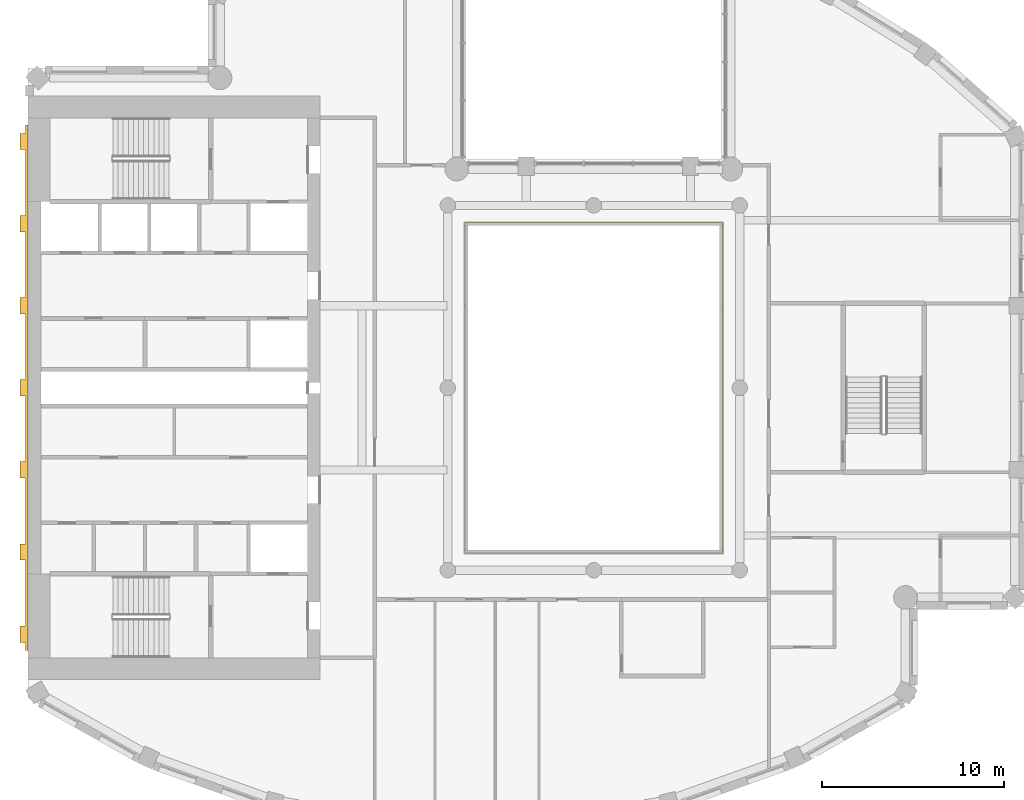
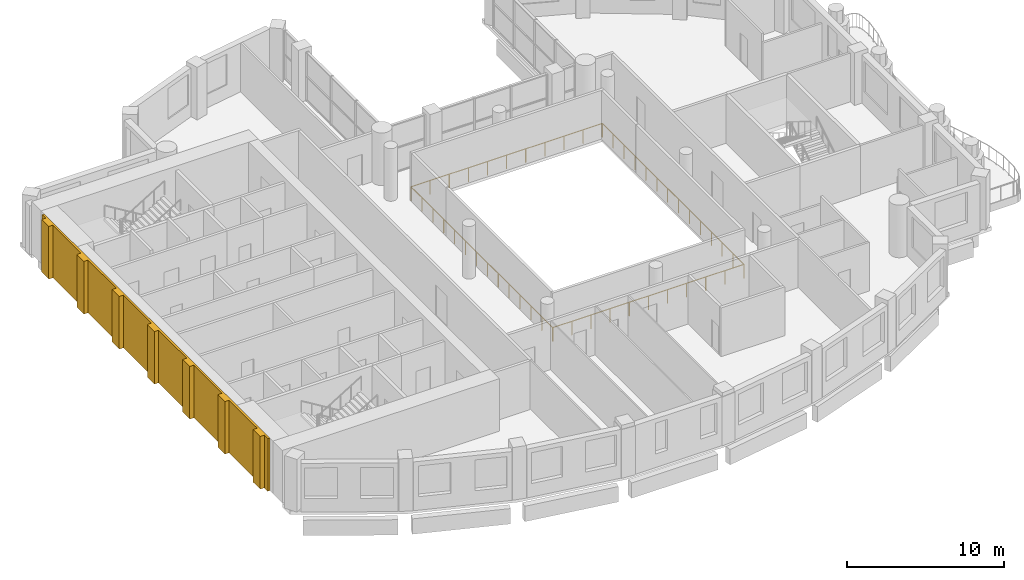
# One storey, part 12 of 15: 1 covering, 1 railing.
"""IFC4 building model written with IfcOpenShell, lengths in metres."""

from ifc_helpers import new_model, si_unit, direction, frame, origin, origin_2d, place, context, subcontext, project, spatial, polyline, rectangle, outline, extrude, material, layer, layer_set, type_object, element, save


model = new_model("IFC4")

# Units and contexts
model_context = context("Model", 3, precision=1e-05, world=origin(), true_north=direction((0.0, 1.0)))
body_context = subcontext(model_context, "Body", "Model", "MODEL_VIEW")
ifc_project = project(units=[si_unit("LENGTHUNIT", "METRE"), si_unit("AREAUNIT", "SQUARE_METRE"), si_unit("VOLUMEUNIT", "CUBIC_METRE"), si_unit("PLANEANGLEUNIT", "RADIAN"), si_unit("MASSUNIT", "GRAM", prefix="KILO")], contexts=[model_context])

# Site, building, storey
site_placement = place(None, origin())
site = spatial("IfcSite", under=ifc_project, at=site_placement, CompositionType="ELEMENT")
building_placement = place(site_placement, origin())
building = spatial("IfcBuilding", under=site, at=building_placement, Name="Cypress Arch Tower", CompositionType="ELEMENT")
storey_placement = place(building_placement, frame((0.0, 0.0, 292.60009765625)))
storey = spatial("IfcBuildingStorey", under=building, at=storey_placement, Name="L66", CompositionType="ELEMENT", Elevation=292.60009765625)

# Railing
ifc_material_1 = material(Name="Stainless steel posts and handrail, laminated glass infill", Category="steel")
railing_type = type_object("IfcRailingType", Name="Atrium guard GR1100A", PredefinedType="GUARDRAIL", material=ifc_material_1)
railing_placement = place(storey_placement, frame((8.050048828125, -9.050048828125, 0.0)))
element("IfcRailing", 1, at=railing_placement, inside=storey, type_object=railing_type, Name="Atrium guard L66", PredefinedType="GUARDRAIL", context=body_context, shape_type="SweptSolid", body=[
    extrude(rectangle(XDim=0.050048828125, YDim=0.050048828125, at=origin_2d()), frame((0.0, 0.0, 1.0751953125), z_axis=(-1.0, 0.0, 0.0), x_axis=(0.0, -1.0, 0.0)), (0.0, 0.0, 1.0), 14.10009765625),
    extrude(rectangle(XDim=0.050048828125, YDim=0.050048828125, at=origin_2d()), frame((-14.10009765625, 0.0, 1.0751953125), z_axis=(0.0, 1.0, 0.0), x_axis=(-1.0, 0.0, 0.0)), (0.0, 0.0, 1.0), 18.10009765625),
    extrude(rectangle(XDim=0.050048828125, YDim=0.050048828125, at=origin_2d()), frame((-14.10009765625, 18.10009765625, 1.0751953125), z_axis=(1.0, 0.0, 0.0), x_axis=(0.0, 1.0, 0.0)), (0.0, 0.0, 1.0), 14.10009765625),
    extrude(rectangle(XDim=0.050048828125, YDim=0.050048828125, at=origin_2d()), frame((0.0, 18.10009765625, 1.0751953125), z_axis=(0.0, -1.0, 0.0), x_axis=(1.0, 0.0, 0.0)), (0.0, 0.0, 1.0), 18.10009765625),
    extrude(rectangle(XDim=0.050048828125, YDim=0.050048828125, at=origin_2d()), origin(), (0.0, 0.0, 1.0), 1.050048828125),
    extrude(rectangle(XDim=0.050048828125, YDim=0.050048828125, at=origin_2d()), frame((-1.409912109375, 0.0, 0.0)), (0.0, 0.0, 1.0), 1.050048828125),
    extrude(rectangle(XDim=0.050048828125, YDim=0.050048828125, at=origin_2d()), frame((-2.820068359375, 0.0, 0.0)), (0.0, 0.0, 1.0), 1.050048828125),
    extrude(rectangle(XDim=0.050048828125, YDim=0.050048828125, at=origin_2d()), frame((-4.22998046875, 0.0, 0.0)), (0.0, 0.0, 1.0), 1.050048828125),
    extrude(rectangle(XDim=0.050048828125, YDim=0.050048828125, at=origin_2d()), frame((-5.64013671875, 0.0, 0.0)), (0.0, 0.0, 1.0), 1.050048828125),
    extrude(rectangle(XDim=0.050048828125, YDim=0.050048828125, at=origin_2d()), frame((-7.050048828125, 0.0, 0.0)), (0.0, 0.0, 1.0), 1.050048828125),
    extrude(rectangle(XDim=0.050048828125, YDim=0.050048828125, at=origin_2d()), frame((-8.4599609375, 0.0, 0.0)), (0.0, 0.0, 1.0), 1.050048828125),
    extrude(rectangle(XDim=0.050048828125, YDim=0.050048828125, at=origin_2d()), frame((-9.8701171875, 0.0, 0.0)), (0.0, 0.0, 1.0), 1.050048828125),
    extrude(rectangle(XDim=0.050048828125, YDim=0.050048828125, at=origin_2d()), frame((-11.280029296875, 0.0, 0.0)), (0.0, 0.0, 1.0), 1.050048828125),
    extrude(rectangle(XDim=0.050048828125, YDim=0.050048828125, at=origin_2d()), frame((-12.690185546875, 0.0, 0.0)), (0.0, 0.0, 1.0), 1.050048828125),
    extrude(rectangle(XDim=0.050048828125, YDim=0.050048828125, at=origin_2d()), frame((-14.10009765625, 0.0, 0.0)), (0.0, 0.0, 1.0), 1.050048828125),
    extrude(rectangle(XDim=0.050048828125, YDim=0.050048828125, at=origin_2d()), frame((-14.10009765625, 1.392333984375, 0.0)), (0.0, 0.0, 1.0), 1.050048828125),
    extrude(rectangle(XDim=0.050048828125, YDim=0.050048828125, at=origin_2d()), frame((-14.10009765625, 2.78466796875, 0.0)), (0.0, 0.0, 1.0), 1.050048828125),
    extrude(rectangle(XDim=0.050048828125, YDim=0.050048828125, at=origin_2d()), frame((-14.10009765625, 4.177001953125, 0.0)), (0.0, 0.0, 1.0), 1.050048828125),
    extrude(rectangle(XDim=0.050048828125, YDim=0.050048828125, at=origin_2d()), frame((-14.10009765625, 5.5693359375, 0.0)), (0.0, 0.0, 1.0), 1.050048828125),
    extrude(rectangle(XDim=0.050048828125, YDim=0.050048828125, at=origin_2d()), frame((-14.10009765625, 6.961669921875, 0.0)), (0.0, 0.0, 1.0), 1.050048828125),
    extrude(rectangle(XDim=0.050048828125, YDim=0.050048828125, at=origin_2d()), frame((-14.10009765625, 8.35400390625, 0.0)), (0.0, 0.0, 1.0), 1.050048828125),
    extrude(rectangle(XDim=0.050048828125, YDim=0.050048828125, at=origin_2d()), frame((-14.10009765625, 9.74609375, 0.0)), (0.0, 0.0, 1.0), 1.050048828125),
    extrude(rectangle(XDim=0.050048828125, YDim=0.050048828125, at=origin_2d()), frame((-14.10009765625, 11.138427734375, 0.0)), (0.0, 0.0, 1.0), 1.050048828125),
    extrude(rectangle(XDim=0.050048828125, YDim=0.050048828125, at=origin_2d()), frame((-14.10009765625, 12.53076171875, 0.0)), (0.0, 0.0, 1.0), 1.050048828125),
    extrude(rectangle(XDim=0.050048828125, YDim=0.050048828125, at=origin_2d()), frame((-14.10009765625, 13.923095703125, 0.0)), (0.0, 0.0, 1.0), 1.050048828125),
    extrude(rectangle(XDim=0.050048828125, YDim=0.050048828125, at=origin_2d()), frame((-14.10009765625, 15.3154296875, 0.0)), (0.0, 0.0, 1.0), 1.050048828125),
    extrude(rectangle(XDim=0.050048828125, YDim=0.050048828125, at=origin_2d()), frame((-14.10009765625, 16.707763671875, 0.0)), (0.0, 0.0, 1.0), 1.050048828125),
    extrude(rectangle(XDim=0.050048828125, YDim=0.050048828125, at=origin_2d()), frame((-14.10009765625, 18.10009765625, 0.0)), (0.0, 0.0, 1.0), 1.050048828125),
    extrude(rectangle(XDim=0.050048828125, YDim=0.050048828125, at=origin_2d()), frame((-12.690185546875, 18.10009765625, 0.0)), (0.0, 0.0, 1.0), 1.050048828125),
    extrude(rectangle(XDim=0.050048828125, YDim=0.050048828125, at=origin_2d()), frame((-11.280029296875, 18.10009765625, 0.0)), (0.0, 0.0, 1.0), 1.050048828125),
    extrude(rectangle(XDim=0.050048828125, YDim=0.050048828125, at=origin_2d()), frame((-9.8701171875, 18.10009765625, 0.0)), (0.0, 0.0, 1.0), 1.050048828125),
    extrude(rectangle(XDim=0.050048828125, YDim=0.050048828125, at=origin_2d()), frame((-8.4599609375, 18.10009765625, 0.0)), (0.0, 0.0, 1.0), 1.050048828125),
    extrude(rectangle(XDim=0.050048828125, YDim=0.050048828125, at=origin_2d()), frame((-7.050048828125, 18.10009765625, 0.0)), (0.0, 0.0, 1.0), 1.050048828125),
    extrude(rectangle(XDim=0.050048828125, YDim=0.050048828125, at=origin_2d()), frame((-5.64013671875, 18.10009765625, 0.0)), (0.0, 0.0, 1.0), 1.050048828125),
    extrude(rectangle(XDim=0.050048828125, YDim=0.050048828125, at=origin_2d()), frame((-4.22998046875, 18.10009765625, 0.0)), (0.0, 0.0, 1.0), 1.050048828125),
    extrude(rectangle(XDim=0.050048828125, YDim=0.050048828125, at=origin_2d()), frame((-2.820068359375, 18.10009765625, 0.0)), (0.0, 0.0, 1.0), 1.050048828125),
    extrude(rectangle(XDim=0.050048828125, YDim=0.050048828125, at=origin_2d()), frame((-1.409912109375, 18.10009765625, 0.0)), (0.0, 0.0, 1.0), 1.050048828125),
    extrude(rectangle(XDim=0.050048828125, YDim=0.050048828125, at=origin_2d()), frame((0.0, 18.10009765625, 0.0)), (0.0, 0.0, 1.0), 1.050048828125),
    extrude(rectangle(XDim=0.050048828125, YDim=0.050048828125, at=origin_2d()), frame((0.0, 16.707763671875, 0.0)), (0.0, 0.0, 1.0), 1.050048828125),
    extrude(rectangle(XDim=0.050048828125, YDim=0.050048828125, at=origin_2d()), frame((0.0, 15.3154296875, 0.0)), (0.0, 0.0, 1.0), 1.050048828125),
    extrude(rectangle(XDim=0.050048828125, YDim=0.050048828125, at=origin_2d()), frame((0.0, 13.923095703125, 0.0)), (0.0, 0.0, 1.0), 1.050048828125),
    extrude(rectangle(XDim=0.050048828125, YDim=0.050048828125, at=origin_2d()), frame((0.0, 12.53076171875, 0.0)), (0.0, 0.0, 1.0), 1.050048828125),
    extrude(rectangle(XDim=0.050048828125, YDim=0.050048828125, at=origin_2d()), frame((0.0, 11.138427734375, 0.0)), (0.0, 0.0, 1.0), 1.050048828125),
    extrude(rectangle(XDim=0.050048828125, YDim=0.050048828125, at=origin_2d()), frame((0.0, 9.74609375, 0.0)), (0.0, 0.0, 1.0), 1.050048828125),
    extrude(rectangle(XDim=0.050048828125, YDim=0.050048828125, at=origin_2d()), frame((0.0, 8.35400390625, 0.0)), (0.0, 0.0, 1.0), 1.050048828125),
    extrude(rectangle(XDim=0.050048828125, YDim=0.050048828125, at=origin_2d()), frame((0.0, 6.961669921875, 0.0)), (0.0, 0.0, 1.0), 1.050048828125),
    extrude(rectangle(XDim=0.050048828125, YDim=0.050048828125, at=origin_2d()), frame((0.0, 5.5693359375, 0.0)), (0.0, 0.0, 1.0), 1.050048828125),
    extrude(rectangle(XDim=0.050048828125, YDim=0.050048828125, at=origin_2d()), frame((0.0, 4.177001953125, 0.0)), (0.0, 0.0, 1.0), 1.050048828125),
    extrude(rectangle(XDim=0.050048828125, YDim=0.050048828125, at=origin_2d()), frame((0.0, 2.78466796875, 0.0)), (0.0, 0.0, 1.0), 1.050048828125),
    extrude(rectangle(XDim=0.050048828125, YDim=0.050048828125, at=origin_2d()), frame((0.0, 1.392333984375, 0.0)), (0.0, 0.0, 1.0), 1.050048828125),
])

# Covering
ifc_material_2 = material(Name="Brick (red buff blend)", Category="masonry")
ifc_layer = layer(ifc_material_2, 0.449951171875)
ifc_layer_set = layer_set([ifc_layer], Name="West face brick piers WP450")
covering_type = type_object("IfcCoveringType", Name="West face brick piers WP450", PredefinedType="CLADDING", material=ifc_layer_set)
covering_placement = place(storey_placement, origin())
element("IfcCovering", 2, at=covering_placement, inside=storey, type_object=covering_type, Name="West face brick piers L66", PredefinedType="CLADDING", context=body_context, shape_type="SweptSolid", body=[
    extrude(outline(polyline([(-30.14990234375, -13.050048828125), (-30.14990234375, -9.449951171875), (-30.449951171875, -9.449951171875), (-30.449951171875, -8.550048828125), (-30.14990234375, -8.550048828125), (-30.14990234375, -4.949951171875), (-30.449951171875, -4.949951171875), (-30.449951171875, -4.050048828125), (-30.14990234375, -4.050048828125), (-30.14990234375, -0.449951171875), (-30.449951171875, -0.449951171875), (-30.449951171875, 0.449951171875), (-30.14990234375, 0.449951171875), (-30.14990234375, 4.050048828125), (-30.449951171875, 4.050048828125), (-30.449951171875, 4.949951171875), (-30.14990234375, 4.949951171875), (-30.14990234375, 8.550048828125), (-30.449951171875, 8.550048828125), (-30.449951171875, 9.449951171875), (-30.14990234375, 9.449951171875), (-30.14990234375, 13.050048828125), (-30.449951171875, 13.050048828125), (-30.449951171875, 13.949951171875), (-30.14990234375, 13.949951171875), (-30.14990234375, 14.39990234375), (-30.0, 14.39990234375), (-30.0, -14.39990234375), (-30.14990234375, -14.39990234375), (-30.14990234375, -13.949951171875), (-30.449951171875, -13.949951171875), (-30.449951171875, -13.050048828125), (-30.14990234375, -13.050048828125)])), origin(), (0.0, 0.0, 1.0), 4.099853515625),
])

save(model, "model.ifc")
